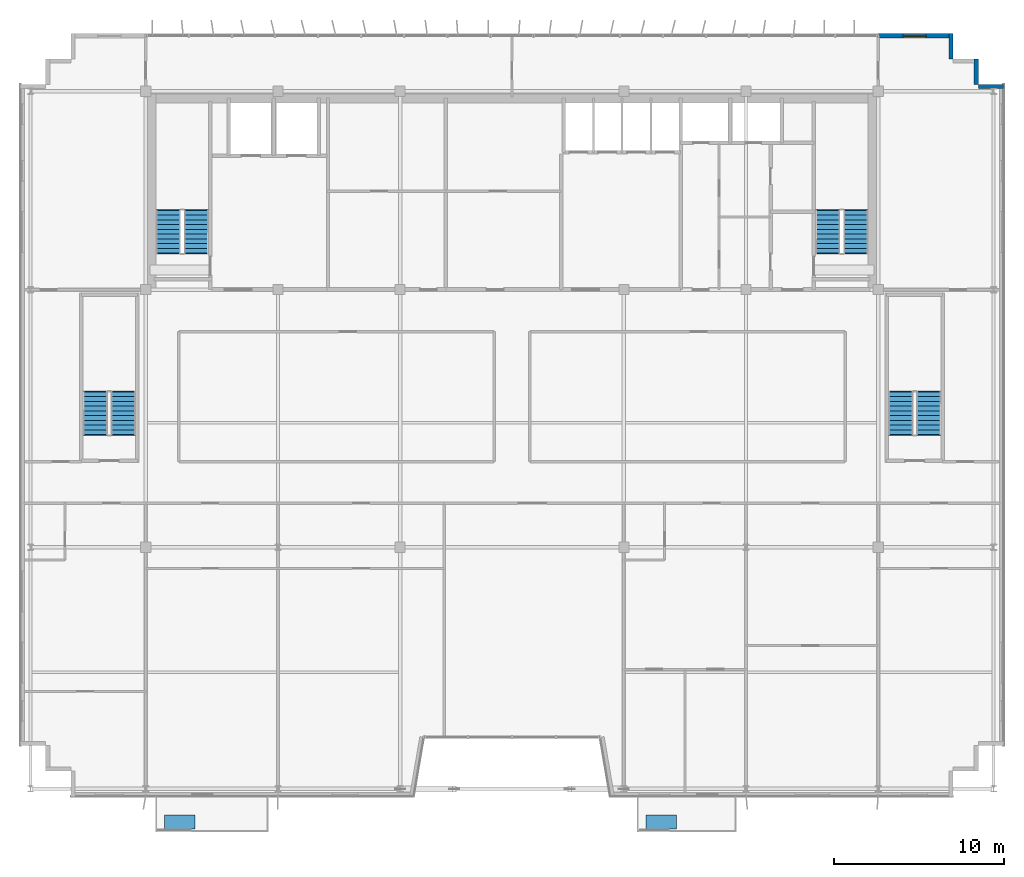
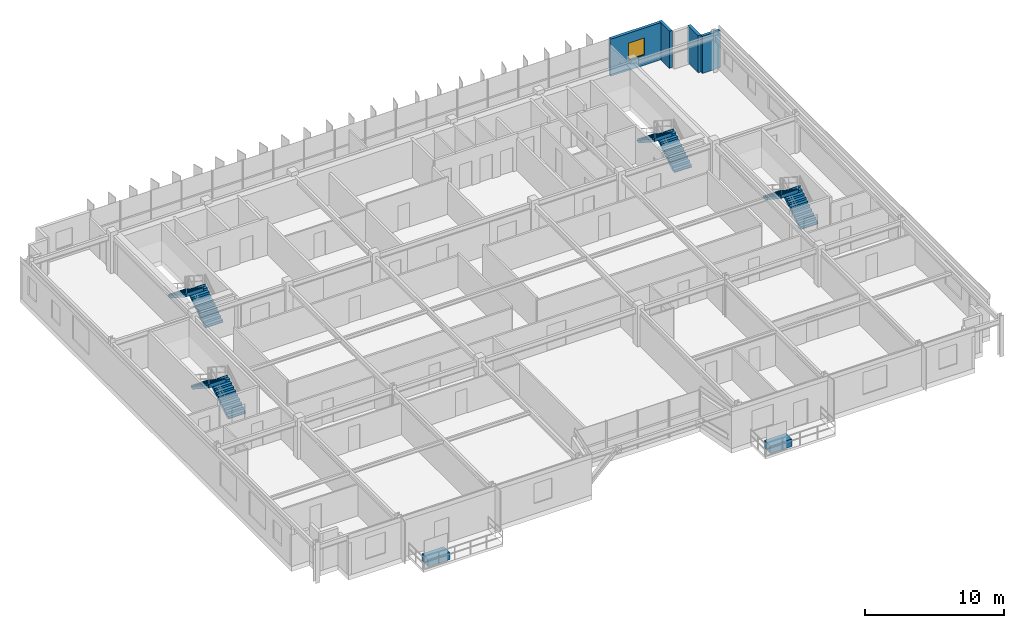
# One storey, part 25 of 28: 8 stair flights, 4 walls, 2 discrete accessories, 1 window, 1 opening, 4 elements without a shape of their own.
"""IFC4 building model written with IfcOpenShell, lengths in metres."""

from ifc_helpers import new_model, si_unit, direction, frame, frame_2d, origin, origin_2d, place, context, subcontext, project, spatial, polyline, rectangle, outline, extrude, source, transform, mapped, material, layer, layer_set, type_object, element, fill, aggregate, save


model = new_model("IFC4")

# Units and contexts
model_context = context("Model", 3, precision=1e-05, world=origin(), true_north=direction((0.0, 1.0)))
body_context = subcontext(model_context, "Body", "Model", "MODEL_VIEW")
ifc_project = project(units=[si_unit("LENGTHUNIT", "METRE"), si_unit("AREAUNIT", "SQUARE_METRE"), si_unit("VOLUMEUNIT", "CUBIC_METRE"), si_unit("PLANEANGLEUNIT", "RADIAN"), si_unit("MASSUNIT", "GRAM", prefix="KILO")], contexts=[model_context])

# Site, building, storey
site_placement = place(None, origin())
site = spatial("IfcSite", under=ifc_project, at=site_placement, CompositionType="ELEMENT")
building_placement = place(site_placement, origin())
building = spatial("IfcBuilding", under=site, at=building_placement, Name="Trelvane Seafront Commons", CompositionType="ELEMENT")
storey_placement = place(building_placement, frame((0.0, 0.0, 295.5)))
storey = spatial("IfcBuildingStorey", under=building, at=storey_placement, Name="L77", CompositionType="ELEMENT", Elevation=295.5)

# Wall, opening, window
ifc_material_1 = material(Name="Precast concrete C40/50", Category="concrete")
ifc_layer = layer(ifc_material_1, 0.239990234375, Name="ARCH-WALL-EXT240")
ifc_layer_set = layer_set([ifc_layer], Name="Precast concrete C40/50")
wall_type = type_object("IfcWallType", Name="ARCH-WALL-EXT240", PredefinedType="SOLIDWALL", material=ifc_layer_set)
wall_placement = place(storey_placement, frame((58.800048828125, 48.3701171875, 0.0), z_axis=(0.0, 0.0, 1.0), x_axis=(1.0, 0.0, 0.0)))
wall = element("IfcWall", 1, at=wall_placement, inside=storey, type_object=wall_type, Name="EW-L77-NE-1558", PredefinedType="SOLIDWALL", context=body_context, shape_type="SweptSolid", body=[
    extrude(rectangle(XDim=4.300048828125, YDim=0.239990234375, at=frame_2d((2.14990234375, 0.0))), origin(), (0.0, 0.0, 1.0), 3.260009765625),
])
opening_placement = place(wall_placement, frame((1.47509765625, 0.0, 0.89990234375)))
opening = element("IfcOpeningElement", 2, at=opening_placement, cuts=wall, Name="Opening W09", PredefinedType="OPENING", context=body_context, shape_type="SweptSolid", body=[
    extrude(rectangle(XDim=1.35009765625, YDim=1.5, at=frame_2d((0.675048828125, 0.75))), frame((0.0, 0.1298828125, 0.0), z_axis=(0.0, -1.0, 0.0), x_axis=(1.0, 0.0, 0.0)), (0.0, 0.0, 1.0), 0.260009765625),
])
ifc_material_2 = material(Name="Low-E coastal double glazing", Category="glass")
window_type = type_object("IfcWindowType", Name="ARCH-WIN-W09", PartitioningType="SINGLE_PANEL", PredefinedType="WINDOW", material=ifc_material_2)
shared_shape_1 = source(origin(), body_context, "Body", "SweptSolid", [
    extrude(rectangle(XDim=1.35009765625, YDim=1.5, at=frame_2d((0.675048828125, 0.75))), frame((0.0, 0.030029296875, 0.0), z_axis=(0.0, -1.0, 0.0), x_axis=(1.0, 0.0, 0.0)), (0.0, 0.0, 1.0), 0.06005859375),
])
window_placement = place(opening_placement, origin())
window = element("IfcWindow", 3, at=window_placement, inside=storey, type_object=window_type, Name="WIN-L77-01839", OverallHeight=1.5, OverallWidth=1.35009765625, PartitioningType="SINGLE_PANEL", PredefinedType="WINDOW", context=body_context, shape_type="MappedRepresentation", body=[
    mapped(shared_shape_1, transform((0.0, 0.0, 0.0), x_axis=(1.0, 0.0, 0.0), y_axis=(0.0, 1.0, 0.0), z_axis=(0.0, 0.0, 1.0), scale=1.0)),
])
fill(opening, window)

# Walls
for number, where, z_axis, x_axis, name in (
    (4, (63.080078125, 48.5, 0.0), (0.0, 0.0, 1.0), (0.0, -1.0, 0.0), "EW-L77-01567"),
    (5, (64.580078125, 47.0, 0.0), (0.0, 0.0, 1.0), (0.0, -1.0, 0.0), "EW-L77-01569"),
    (6, (64.699951171875, 45.3798828125, 0.0), (0.0, 0.0, 1.0), (1.0, 0.0, 0.0), "EW-L77-01570"),
):
    element("IfcWall", number, at=place(storey_placement, frame(where, z_axis=z_axis, x_axis=x_axis)), inside=storey, type_object=wall_type, Name=name, PredefinedType="SOLIDWALL", context=body_context, shape_type="SweptSolid", body=[
        extrude(rectangle(XDim=1.5, YDim=0.239990234375, at=frame_2d((0.75, 0.0))), origin(), (0.0, 0.0, 1.0), 3.260009765625),
    ])

# Stair, stair flights
ifc_material_3 = material(Name="Concrete C40/50", Category="concrete")
stair_type_1 = type_object("IfcStairType", Name="ARCH-STR-ST-1-R20-180", PredefinedType="HALF_TURN_STAIR", material=ifc_material_3)
stair_1_placement = place(storey_placement, origin())
stair_1 = element("IfcStair", 7, at=stair_1_placement, inside=storey, type_object=stair_type_1, Name="L77 West Protected Firefighting Exit Stair ST-1", PredefinedType="HALF_TURN_STAIR")
stair_flight_type_1 = type_object("IfcStairFlightType", Name="ARCH-FLG-ST-1-R20-180", PredefinedType="STRAIGHT", material=ifc_material_3)
shared_shape_2 = source(origin(), body_context, "Body", "SweptSolid", [
    extrude(outline(polyline([(-0.050048828125, -0.02001953125), (-0.050048828125, 0.0), (0.0, 0.0), (0.0, 0.179931640625), (0.280029296875, 0.179931640625), (0.280029296875, 0.360107421875), (0.56005859375, 0.360107421875), (0.56005859375, 0.5400390625), (0.840087890625, 0.5400390625), (0.840087890625, 0.719970703125), (1.1201171875, 0.719970703125), (1.1201171875, 0.89990234375), (1.39990234375, 0.89990234375), (1.39990234375, 1.080078125), (1.679931640625, 1.080078125), (1.679931640625, 1.260009765625), (1.9599609375, 1.260009765625), (1.9599609375, 1.43994140625), (2.239990234375, 1.43994140625), (2.239990234375, 1.6201171875), (2.52001953125, 1.6201171875), (2.52001953125, 1.800048828125), (2.570068359375, 1.800048828125), (2.570068359375, 1.650146484375), (2.52001953125, 1.44189453125), (0.277099609375, -0.02001953125), (-0.050048828125, -0.02001953125)])), frame((0.0, 0.72509765625, 0.0), z_axis=(0.0, -1.0, 0.0), x_axis=(1.0, 0.0, 0.0)), (0.0, 0.0, 1.0), 1.449951171875),
])
stair_flight_1_placement = place(storey_placement, frame((18.574951171875, 35.550048828125, 0.0), z_axis=(0.0, 0.0, 1.0), x_axis=(0.0, 1.0, 0.0)))
stair_flight_1 = element("IfcStairFlight", 8, at=stair_flight_1_placement, type_object=stair_flight_type_1, Name="ST-1 flight 1", NumberOfRisers=10, NumberOfTreads=9, PredefinedType="STRAIGHT", RiserHeight=0.18, TreadLength=0.28, context=body_context, shape_type="MappedRepresentation", body=[
    mapped(shared_shape_2, transform((0.0, 0.0, 0.0), x_axis=(1.0, 0.0, 0.0), y_axis=(0.0, 1.0, 0.0), z_axis=(0.0, 0.0, 1.0), scale=1.0)),
])
stair_flight_2_placement = place(storey_placement, frame((16.925048828125, 38.070068359375, 1.800048828125), z_axis=(0.0, 0.0, 1.0), x_axis=(0.0, -1.0, 0.0)))
stair_flight_2 = element("IfcStairFlight", 9, at=stair_flight_2_placement, type_object=stair_flight_type_1, Name="ST-1 flight 2", NumberOfRisers=10, NumberOfTreads=9, PredefinedType="STRAIGHT", RiserHeight=0.18, TreadLength=0.28, context=body_context, shape_type="MappedRepresentation", body=[
    mapped(shared_shape_2, transform((0.0, 0.0, 0.0), x_axis=(1.0, 0.0, 0.0), y_axis=(0.0, 1.0, 0.0), z_axis=(0.0, 0.0, 1.0), scale=1.0)),
])
aggregate(stair_1, [stair_flight_1, stair_flight_2])

stair_type_2 = type_object("IfcStairType", Name="ARCH-STR-ST-2-R20-180", PredefinedType="HALF_TURN_STAIR", material=ifc_material_3)
stair_2_placement = place(storey_placement, origin())
stair_2 = element("IfcStair", 10, at=stair_2_placement, inside=storey, type_object=stair_type_2, Name="L77 East Protected Firefighting Exit Stair ST-2", PredefinedType="HALF_TURN_STAIR")
stair_flight_type_2 = type_object("IfcStairFlightType", Name="ARCH-FLG-ST-2-R20-180", PredefinedType="STRAIGHT", material=ifc_material_3)
stair_flight_3_placement = place(storey_placement, frame((57.47509765625, 35.550048828125, 0.0), z_axis=(0.0, 0.0, 1.0), x_axis=(0.0, 1.0, 0.0)))
stair_flight_3 = element("IfcStairFlight", 11, at=stair_flight_3_placement, type_object=stair_flight_type_2, Name="ST-2 flight 1", NumberOfRisers=10, NumberOfTreads=9, PredefinedType="STRAIGHT", RiserHeight=0.18, TreadLength=0.28, context=body_context, shape_type="MappedRepresentation", body=[
    mapped(shared_shape_2, transform((0.0, 0.0, 0.0), x_axis=(1.0, 0.0, 0.0), y_axis=(0.0, 1.0, 0.0), z_axis=(0.0, 0.0, 1.0), scale=1.0)),
])
stair_flight_4_placement = place(storey_placement, frame((55.824951171875, 38.070068359375, 1.800048828125), z_axis=(0.0, 0.0, 1.0), x_axis=(0.0, -1.0, 0.0)))
stair_flight_4 = element("IfcStairFlight", 12, at=stair_flight_4_placement, type_object=stair_flight_type_2, Name="ST-2 flight 2", NumberOfRisers=10, NumberOfTreads=9, PredefinedType="STRAIGHT", RiserHeight=0.18, TreadLength=0.28, context=body_context, shape_type="MappedRepresentation", body=[
    mapped(shared_shape_2, transform((0.0, 0.0, 0.0), x_axis=(1.0, 0.0, 0.0), y_axis=(0.0, 1.0, 0.0), z_axis=(0.0, 0.0, 1.0), scale=1.0)),
])
aggregate(stair_2, [stair_flight_3, stair_flight_4])

stair_type_3 = type_object("IfcStairType", Name="ARCH-STR-ST-5-R20-180", PredefinedType="HALF_TURN_STAIR", material=ifc_material_3)
stair_3_placement = place(storey_placement, origin())
stair_3 = element("IfcStair", 13, at=stair_3_placement, inside=storey, type_object=stair_type_3, Name="L77 Crown West Peak Enclosed Maintenance Exit Stair ST-5", PredefinedType="HALF_TURN_STAIR")
stair_flight_type_3 = type_object("IfcStairFlightType", Name="ARCH-FLG-ST-5-R20-180", PredefinedType="STRAIGHT", material=ifc_material_3)
stair_flight_5_placement = place(storey_placement, frame((14.27490234375, 24.85009765625, 0.0), z_axis=(0.0, 0.0, 1.0), x_axis=(0.0, 1.0, 0.0)))
stair_flight_5 = element("IfcStairFlight", 14, at=stair_flight_5_placement, type_object=stair_flight_type_3, Name="ST-5 flight 1", NumberOfRisers=10, NumberOfTreads=9, PredefinedType="STRAIGHT", RiserHeight=0.18, TreadLength=0.28, context=body_context, shape_type="MappedRepresentation", body=[
    mapped(shared_shape_2, transform((0.0, 0.0, 0.0), x_axis=(1.0, 0.0, 0.0), y_axis=(0.0, 1.0, 0.0), z_axis=(0.0, 0.0, 1.0), scale=1.0)),
])
stair_flight_6_placement = place(storey_placement, frame((12.625, 27.3701171875, 1.800048828125), z_axis=(0.0, 0.0, 1.0), x_axis=(0.0, -1.0, 0.0)))
stair_flight_6 = element("IfcStairFlight", 15, at=stair_flight_6_placement, type_object=stair_flight_type_3, Name="ST-5 flight 2", NumberOfRisers=10, NumberOfTreads=9, PredefinedType="STRAIGHT", RiserHeight=0.18, TreadLength=0.28, context=body_context, shape_type="MappedRepresentation", body=[
    mapped(shared_shape_2, transform((0.0, 0.0, 0.0), x_axis=(1.0, 0.0, 0.0), y_axis=(0.0, 1.0, 0.0), z_axis=(0.0, 0.0, 1.0), scale=1.0)),
])
aggregate(stair_3, [stair_flight_5, stair_flight_6])

stair_type_4 = type_object("IfcStairType", Name="ARCH-STR-ST-6-R20-180", PredefinedType="HALF_TURN_STAIR", material=ifc_material_3)
stair_4_placement = place(storey_placement, origin())
stair_4 = element("IfcStair", 16, at=stair_4_placement, inside=storey, type_object=stair_type_4, Name="L77 Crown East Peak Enclosed Maintenance Exit Stair ST-6", PredefinedType="HALF_TURN_STAIR")
stair_flight_type_4 = type_object("IfcStairFlightType", Name="ARCH-FLG-ST-6-R20-180", PredefinedType="STRAIGHT", material=ifc_material_3)
stair_flight_7_placement = place(storey_placement, frame((61.77490234375, 24.85009765625, 0.0), z_axis=(0.0, 0.0, 1.0), x_axis=(0.0, 1.0, 0.0)))
stair_flight_7 = element("IfcStairFlight", 17, at=stair_flight_7_placement, type_object=stair_flight_type_4, Name="ST-6 flight 1", NumberOfRisers=10, NumberOfTreads=9, PredefinedType="STRAIGHT", RiserHeight=0.18, TreadLength=0.28, context=body_context, shape_type="MappedRepresentation", body=[
    mapped(shared_shape_2, transform((0.0, 0.0, 0.0), x_axis=(1.0, 0.0, 0.0), y_axis=(0.0, 1.0, 0.0), z_axis=(0.0, 0.0, 1.0), scale=1.0)),
])
stair_flight_8_placement = place(storey_placement, frame((60.125, 27.3701171875, 1.800048828125), z_axis=(0.0, 0.0, 1.0), x_axis=(0.0, -1.0, 0.0)))
stair_flight_8 = element("IfcStairFlight", 18, at=stair_flight_8_placement, type_object=stair_flight_type_4, Name="ST-6 flight 2", NumberOfRisers=10, NumberOfTreads=9, PredefinedType="STRAIGHT", RiserHeight=0.18, TreadLength=0.28, context=body_context, shape_type="MappedRepresentation", body=[
    mapped(shared_shape_2, transform((0.0, 0.0, 0.0), x_axis=(1.0, 0.0, 0.0), y_axis=(0.0, 1.0, 0.0), z_axis=(0.0, 0.0, 1.0), scale=1.0)),
])
aggregate(stair_4, [stair_flight_7, stair_flight_8])

# Discrete accessories
discrete_accessory_type = type_object("IfcDiscreteAccessoryType", Name="ARCH-ACC-PLANTER", PredefinedType="USERDEFINED", material=ifc_material_1)
shared_shape_3 = source(origin(), body_context, "Body", "SweptSolid", [
    extrude(rectangle(XDim=1.800048828125, YDim=0.85009765625, at=origin_2d()), origin(), (0.0, 0.0, 1.0), 0.64990234375),
])
for number, where, z_axis, x_axis, name in (
    (19, (17.60009765625, 2.0, 0.0), (0.0, 0.0, 1.0), (1.0, 0.0, 0.0), "PLN-L77-B0-080"),
    (20, (46.0, 2.0, 0.0), (0.0, 0.0, 1.0), (1.0, 0.0, 0.0), "PLN-L77-B1-081"),
):
    element("IfcDiscreteAccessory", number, at=place(storey_placement, frame(where, z_axis=z_axis, x_axis=x_axis)), inside=storey, type_object=discrete_accessory_type, Name=name, ObjectType="BALCONY TREE PLANTER", PredefinedType="USERDEFINED", context=body_context, shape_type="MappedRepresentation", body=[
        mapped(shared_shape_3, transform((0.0, 0.0, 0.0), x_axis=(1.0, 0.0, 0.0), y_axis=(0.0, 1.0, 0.0), z_axis=(0.0, 0.0, 1.0), scale=1.0)),
    ])

save(model, "model.ifc")
